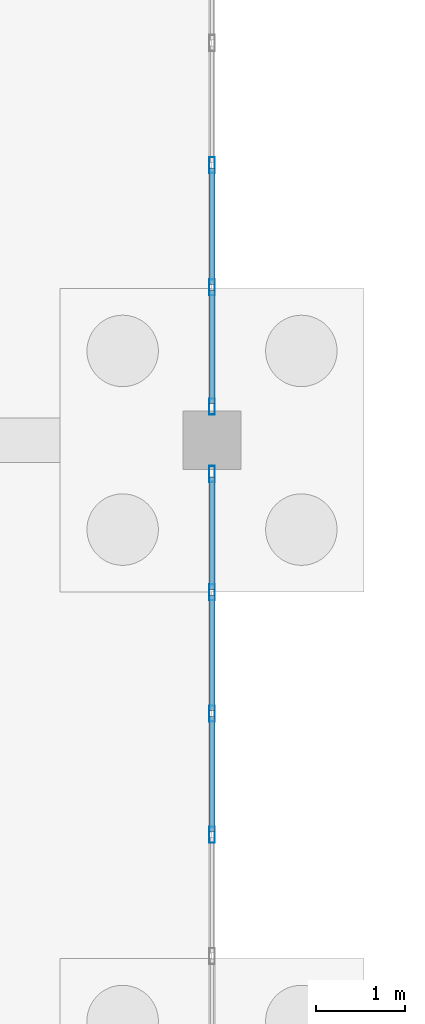
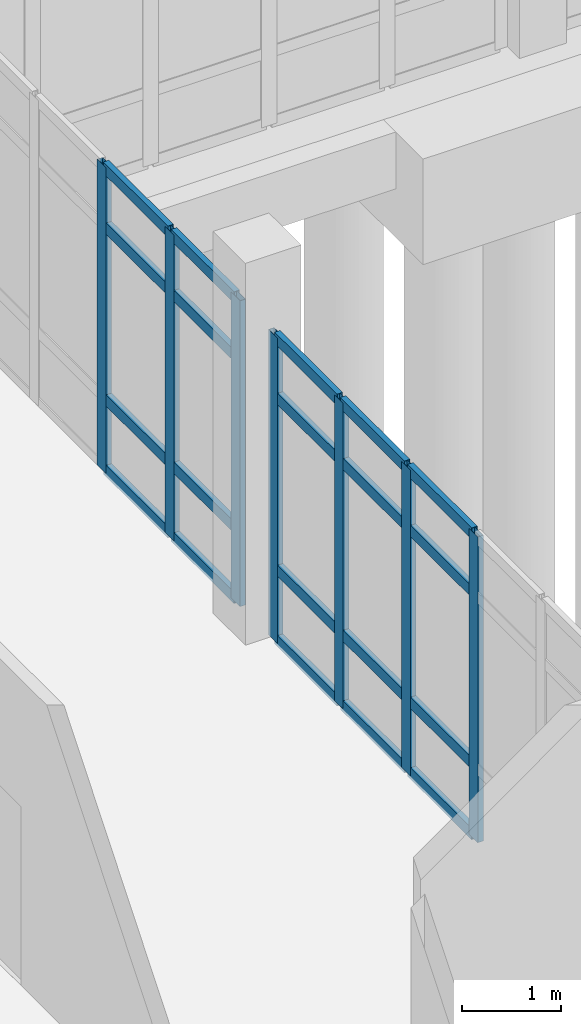
# One storey, part 42 of 173: 27 members, 2 elements without a shape of their own.
"""IFC4 building model written with IfcOpenShell, lengths in metres."""

from ifc_helpers import new_model, si_unit, direction, frame, origin, origin_2d, place, context, subcontext, project, spatial, hollow_rectangle, extrude, material, layer, layer_set, material_profile, profile_set, type_object, element, aggregate, save


model = new_model("IFC4")

# Units and contexts
model_context = context("Model", 3, precision=1e-05, world=origin(), true_north=direction((0.0, 1.0)))
body_context = subcontext(model_context, "Body", "Model", "MODEL_VIEW")
ifc_project = project(units=[si_unit("LENGTHUNIT", "METRE"), si_unit("AREAUNIT", "SQUARE_METRE"), si_unit("VOLUMEUNIT", "CUBIC_METRE"), si_unit("PLANEANGLEUNIT", "RADIAN"), si_unit("MASSUNIT", "GRAM", prefix="KILO")], contexts=[model_context])

# Site, building, storey
site_placement = place(None, origin())
site = spatial("IfcSite", under=ifc_project, at=site_placement, CompositionType="ELEMENT")
building_placement = place(site_placement, origin())
building = spatial("IfcBuilding", under=site, at=building_placement, Name="Mawjan Specialist Oncology Clinic", CompositionType="ELEMENT")
storey_placement = place(building_placement, origin())
storey = spatial("IfcBuildingStorey", under=building, at=storey_placement, Name="L00", CompositionType="ELEMENT", Elevation=0.0)

# Curtain wall, members
ifc_material_1 = material(Name="Unitised spectrally selective aluminium curtain wall", Category="aluminium")
ifc_layer_1 = layer(ifc_material_1, 0.179931640625, Name="Unitised spectrally selective aluminium curtain wall", Category="aluminium")
ifc_layer_set_1 = layer_set([ifc_layer_1], Name="Unitised spectrally selective aluminium curtain wall")
curtain_wall_type_1 = type_object("IfcCurtainWallType", Name="CW-04", PredefinedType="NOTDEFINED", material=ifc_layer_set_1)
curtain_wall_1_placement = place(storey_placement, origin())
curtain_wall_1 = element("IfcCurtainWall", 1, at=curtain_wall_1_placement, inside=storey, type_object=curtain_wall_type_1, Name="L00 Unitised Curtain Wall CW-L00-062", PredefinedType="NOTDEFINED")
ifc_material_2 = material(Name="Thermally broken aluminium 6063-T6", Category="aluminium")
ifc_material_profile_1 = material_profile(ifc_material_2, hollow_rectangle(XDim=0.06494140625, YDim=0.179931640625, WallThickness=0.00390625, at=origin_2d()), Name="ALU MULLION 180x65x4", Category="aluminium")
ifc_profile_set_1 = profile_set([ifc_material_profile_1], Name="Thermally broken aluminium 6063-T6")
member_type_1 = type_object("IfcMemberType", Name="CW-M180", PredefinedType="MULLION", material=ifc_profile_set_1)
member_1_placement = place(storey_placement, frame((15.0, 56.37890625, 0.0), z_axis=(0.0, 0.0, 1.0), x_axis=(1.0, 0.0, 0.0)))
member_1 = element("IfcMember", 2, at=member_1_placement, type_object=member_type_1, Name="CW-04 mullion 4", PredefinedType="MULLION", context=body_context, shape_type="SweptSolid", body=[
    extrude(hollow_rectangle(XDim=0.06494140625, YDim=0.179931640625, WallThickness=0.00390625, at=origin_2d()), origin(), (0.0, 0.0, 1.0), 3.764892578125),
])
member_2_placement = place(storey_placement, frame((15.0, 55.011962890625, 0.0), z_axis=(0.0, 0.0, 1.0), x_axis=(1.0, 0.0, 0.0)))
member_2 = element("IfcMember", 3, at=member_2_placement, type_object=member_type_1, Name="CW-04 mullion 5", PredefinedType="MULLION", context=body_context, shape_type="SweptSolid", body=[
    extrude(hollow_rectangle(XDim=0.06494140625, YDim=0.179931640625, WallThickness=0.00390625, at=origin_2d()), origin(), (0.0, 0.0, 1.0), 3.764892578125),
])
member_3_placement = place(storey_placement, frame((15.0, 53.677490234375, 0.0), z_axis=(0.0, 0.0, 1.0), x_axis=(1.0, 0.0, 0.0)))
member_3 = element("IfcMember", 4, at=member_3_placement, type_object=member_type_1, Name="CW-04 mullion 6", PredefinedType="MULLION", context=body_context, shape_type="SweptSolid", body=[
    extrude(hollow_rectangle(XDim=0.06494140625, YDim=0.179931640625, WallThickness=0.00390625, at=origin_2d()), origin(), (0.0, 0.0, 1.0), 3.764892578125),
])

ifc_material_3 = material(Name="Unitised spectrally selective aluminium curtain wall", Category="aluminium")
ifc_layer_2 = layer(ifc_material_3, 0.179931640625, Name="Unitised spectrally selective aluminium curtain wall", Category="aluminium")
ifc_layer_set_2 = layer_set([ifc_layer_2], Name="Unitised spectrally selective aluminium curtain wall")
curtain_wall_type_2 = type_object("IfcCurtainWallType", Name="CW-03", PredefinedType="NOTDEFINED", material=ifc_layer_set_2)
curtain_wall_2_placement = place(storey_placement, origin())
curtain_wall_2 = element("IfcCurtainWall", 5, at=curtain_wall_2_placement, inside=storey, type_object=curtain_wall_type_2, Name="L00 Unitised Curtain Wall CW-L00-063", PredefinedType="NOTDEFINED")
member_4_placement = place(storey_placement, frame((15.0, 52.922607421875, 0.0), z_axis=(0.0, 0.0, 1.0), x_axis=(1.0, 0.0, 0.0)))
member_4 = element("IfcMember", 6, at=member_4_placement, type_object=member_type_1, Name="CW-03 mullion 1", PredefinedType="MULLION", context=body_context, shape_type="SweptSolid", body=[
    extrude(hollow_rectangle(XDim=0.06494140625, YDim=0.179931640625, WallThickness=0.00390625, at=origin_2d()), origin(), (0.0, 0.0, 1.0), 3.764892578125),
])
member_5_placement = place(storey_placement, frame((15.0, 51.597900390625, 0.0), z_axis=(0.0, 0.0, 1.0), x_axis=(1.0, 0.0, 0.0)))
member_5 = element("IfcMember", 7, at=member_5_placement, type_object=member_type_1, Name="CW-03 mullion 2", PredefinedType="MULLION", context=body_context, shape_type="SweptSolid", body=[
    extrude(hollow_rectangle(XDim=0.06494140625, YDim=0.179931640625, WallThickness=0.00390625, at=origin_2d()), origin(), (0.0, 0.0, 1.0), 3.764892578125),
])
member_6_placement = place(storey_placement, frame((15.0, 50.240966796875, 0.0), z_axis=(0.0, 0.0, 1.0), x_axis=(1.0, 0.0, 0.0)))
member_6 = element("IfcMember", 8, at=member_6_placement, type_object=member_type_1, Name="CW-03 mullion 3", PredefinedType="MULLION", context=body_context, shape_type="SweptSolid", body=[
    extrude(hollow_rectangle(XDim=0.06494140625, YDim=0.179931640625, WallThickness=0.00390625, at=origin_2d()), origin(), (0.0, 0.0, 1.0), 3.764892578125),
])
member_7_placement = place(storey_placement, frame((15.0, 48.884033203125, 0.0), z_axis=(0.0, 0.0, 1.0), x_axis=(1.0, 0.0, 0.0)))
member_7 = element("IfcMember", 9, at=member_7_placement, type_object=member_type_1, Name="CW-03 mullion 4", PredefinedType="MULLION", context=body_context, shape_type="SweptSolid", body=[
    extrude(hollow_rectangle(XDim=0.06494140625, YDim=0.179931640625, WallThickness=0.00390625, at=origin_2d()), origin(), (0.0, 0.0, 1.0), 3.764892578125),
])

# Member
ifc_material_4 = material(Name="Thermally broken aluminium 6063-T6", Category="aluminium")
ifc_material_profile_2 = material_profile(ifc_material_4, hollow_rectangle(XDim=0.06494140625, YDim=0.139892578125, WallThickness=0.00390625, at=origin_2d()), Name="ALU TRANSOM 140x65x4", Category="aluminium")
ifc_profile_set_2 = profile_set([ifc_material_profile_2], Name="Thermally broken aluminium 6063-T6")
member_type_2 = type_object("IfcMemberType", Name="CW-T140", PredefinedType="USERDEFINED", material=ifc_profile_set_2)
member_8_placement = place(storey_placement, frame((15.0, 56.346435546875, 0.032470703125), z_axis=(0.0, -1.0, 0.0), x_axis=(1.0, 0.0, 0.0)))
member_8 = element("IfcMember", 10, at=member_8_placement, type_object=member_type_2, Name="CW-04 transom 4.1", ObjectType="TRANSOM", PredefinedType="USERDEFINED", context=body_context, shape_type="SweptSolid", body=[
    extrude(hollow_rectangle(XDim=0.06494140625, YDim=0.139892578125, WallThickness=0.00390625, at=origin_2d()), origin(), (0.0, 0.0, 1.0), 1.302001953125),
])

member_9_placement = place(storey_placement, frame((15.0, 56.346435546875, 0.89990234375), z_axis=(0.0, -1.0, 0.0), x_axis=(1.0, 0.0, 0.0)))
member_9 = element("IfcMember", 11, at=member_9_placement, type_object=member_type_2, Name="CW-04 transom 4.2", ObjectType="TRANSOM", PredefinedType="USERDEFINED", context=body_context, shape_type="SweptSolid", body=[
    extrude(hollow_rectangle(XDim=0.06494140625, YDim=0.139892578125, WallThickness=0.00390625, at=origin_2d()), origin(), (0.0, 0.0, 1.0), 1.302001953125),
])

member_10_placement = place(storey_placement, frame((15.0, 56.346435546875, 3.014892578125), z_axis=(0.0, -1.0, 0.0), x_axis=(1.0, 0.0, 0.0)))
member_10 = element("IfcMember", 12, at=member_10_placement, type_object=member_type_2, Name="CW-04 transom 4.3", ObjectType="TRANSOM", PredefinedType="USERDEFINED", context=body_context, shape_type="SweptSolid", body=[
    extrude(hollow_rectangle(XDim=0.06494140625, YDim=0.139892578125, WallThickness=0.00390625, at=origin_2d()), origin(), (0.0, 0.0, 1.0), 1.302001953125),
])

member_11_placement = place(storey_placement, frame((15.0, 56.346435546875, 3.732421875), z_axis=(0.0, -1.0, 0.0), x_axis=(1.0, 0.0, 0.0)))
member_11 = element("IfcMember", 13, at=member_11_placement, type_object=member_type_2, Name="CW-04 transom 4.4", ObjectType="TRANSOM", PredefinedType="USERDEFINED", context=body_context, shape_type="SweptSolid", body=[
    extrude(hollow_rectangle(XDim=0.06494140625, YDim=0.139892578125, WallThickness=0.00390625, at=origin_2d()), origin(), (0.0, 0.0, 1.0), 1.302001953125),
])

member_12_placement = place(storey_placement, frame((15.0, 54.9794921875, 0.032470703125), z_axis=(0.0, -1.0, 0.0), x_axis=(1.0, 0.0, 0.0)))
member_12 = element("IfcMember", 14, at=member_12_placement, type_object=member_type_2, Name="CW-04 transom 5.1", ObjectType="TRANSOM", PredefinedType="USERDEFINED", context=body_context, shape_type="SweptSolid", body=[
    extrude(hollow_rectangle(XDim=0.06494140625, YDim=0.139892578125, WallThickness=0.00390625, at=origin_2d()), origin(), (0.0, 0.0, 1.0), 1.26953125),
])

member_13_placement = place(storey_placement, frame((15.0, 54.9794921875, 0.89990234375), z_axis=(0.0, -1.0, 0.0), x_axis=(1.0, 0.0, 0.0)))
member_13 = element("IfcMember", 15, at=member_13_placement, type_object=member_type_2, Name="CW-04 transom 5.2", ObjectType="TRANSOM", PredefinedType="USERDEFINED", context=body_context, shape_type="SweptSolid", body=[
    extrude(hollow_rectangle(XDim=0.06494140625, YDim=0.139892578125, WallThickness=0.00390625, at=origin_2d()), origin(), (0.0, 0.0, 1.0), 1.26953125),
])

member_14_placement = place(storey_placement, frame((15.0, 54.9794921875, 3.014892578125), z_axis=(0.0, -1.0, 0.0), x_axis=(1.0, 0.0, 0.0)))
member_14 = element("IfcMember", 16, at=member_14_placement, type_object=member_type_2, Name="CW-04 transom 5.3", ObjectType="TRANSOM", PredefinedType="USERDEFINED", context=body_context, shape_type="SweptSolid", body=[
    extrude(hollow_rectangle(XDim=0.06494140625, YDim=0.139892578125, WallThickness=0.00390625, at=origin_2d()), origin(), (0.0, 0.0, 1.0), 1.26953125),
])

member_15_placement = place(storey_placement, frame((15.0, 54.9794921875, 3.732421875), z_axis=(0.0, -1.0, 0.0), x_axis=(1.0, 0.0, 0.0)))
member_15 = element("IfcMember", 17, at=member_15_placement, type_object=member_type_2, Name="CW-04 transom 5.4", ObjectType="TRANSOM", PredefinedType="USERDEFINED", context=body_context, shape_type="SweptSolid", body=[
    extrude(hollow_rectangle(XDim=0.06494140625, YDim=0.139892578125, WallThickness=0.00390625, at=origin_2d()), origin(), (0.0, 0.0, 1.0), 1.26953125),
])

aggregate(curtain_wall_1, [member_1, member_2, member_3, member_8, member_9, member_10, member_11, member_12, member_13, member_14, member_15])

member_16_placement = place(storey_placement, frame((15.0, 52.889892578125, 0.032470703125), z_axis=(0.0, -1.0, 0.0), x_axis=(1.0, 0.0, 0.0)))
member_16 = element("IfcMember", 18, at=member_16_placement, type_object=member_type_2, Name="CW-03 transom 1.1", ObjectType="TRANSOM", PredefinedType="USERDEFINED", context=body_context, shape_type="SweptSolid", body=[
    extrude(hollow_rectangle(XDim=0.06494140625, YDim=0.139892578125, WallThickness=0.00390625, at=origin_2d()), origin(), (0.0, 0.0, 1.0), 1.25927734375),
])

member_17_placement = place(storey_placement, frame((15.0, 52.889892578125, 0.89990234375), z_axis=(0.0, -1.0, 0.0), x_axis=(1.0, 0.0, 0.0)))
member_17 = element("IfcMember", 19, at=member_17_placement, type_object=member_type_2, Name="CW-03 transom 1.2", ObjectType="TRANSOM", PredefinedType="USERDEFINED", context=body_context, shape_type="SweptSolid", body=[
    extrude(hollow_rectangle(XDim=0.06494140625, YDim=0.139892578125, WallThickness=0.00390625, at=origin_2d()), origin(), (0.0, 0.0, 1.0), 1.25927734375),
])

member_18_placement = place(storey_placement, frame((15.0, 52.889892578125, 3.014892578125), z_axis=(0.0, -1.0, 0.0), x_axis=(1.0, 0.0, 0.0)))
member_18 = element("IfcMember", 20, at=member_18_placement, type_object=member_type_2, Name="CW-03 transom 1.3", ObjectType="TRANSOM", PredefinedType="USERDEFINED", context=body_context, shape_type="SweptSolid", body=[
    extrude(hollow_rectangle(XDim=0.06494140625, YDim=0.139892578125, WallThickness=0.00390625, at=origin_2d()), origin(), (0.0, 0.0, 1.0), 1.25927734375),
])

member_19_placement = place(storey_placement, frame((15.0, 52.889892578125, 3.732421875), z_axis=(0.0, -1.0, 0.0), x_axis=(1.0, 0.0, 0.0)))
member_19 = element("IfcMember", 21, at=member_19_placement, type_object=member_type_2, Name="CW-03 transom 1.4", ObjectType="TRANSOM", PredefinedType="USERDEFINED", context=body_context, shape_type="SweptSolid", body=[
    extrude(hollow_rectangle(XDim=0.06494140625, YDim=0.139892578125, WallThickness=0.00390625, at=origin_2d()), origin(), (0.0, 0.0, 1.0), 1.25927734375),
])

member_20_placement = place(storey_placement, frame((15.0, 51.5654296875, 0.032470703125), z_axis=(0.0, -1.0, 0.0), x_axis=(1.0, 0.0, 0.0)))
member_20 = element("IfcMember", 22, at=member_20_placement, type_object=member_type_2, Name="CW-03 transom 2.1", ObjectType="TRANSOM", PredefinedType="USERDEFINED", context=body_context, shape_type="SweptSolid", body=[
    extrude(hollow_rectangle(XDim=0.06494140625, YDim=0.139892578125, WallThickness=0.00390625, at=origin_2d()), origin(), (0.0, 0.0, 1.0), 1.2919921875),
])

member_21_placement = place(storey_placement, frame((15.0, 51.5654296875, 0.89990234375), z_axis=(0.0, -1.0, 0.0), x_axis=(1.0, 0.0, 0.0)))
member_21 = element("IfcMember", 23, at=member_21_placement, type_object=member_type_2, Name="CW-03 transom 2.2", ObjectType="TRANSOM", PredefinedType="USERDEFINED", context=body_context, shape_type="SweptSolid", body=[
    extrude(hollow_rectangle(XDim=0.06494140625, YDim=0.139892578125, WallThickness=0.00390625, at=origin_2d()), origin(), (0.0, 0.0, 1.0), 1.2919921875),
])

member_22_placement = place(storey_placement, frame((15.0, 51.5654296875, 3.014892578125), z_axis=(0.0, -1.0, 0.0), x_axis=(1.0, 0.0, 0.0)))
member_22 = element("IfcMember", 24, at=member_22_placement, type_object=member_type_2, Name="CW-03 transom 2.3", ObjectType="TRANSOM", PredefinedType="USERDEFINED", context=body_context, shape_type="SweptSolid", body=[
    extrude(hollow_rectangle(XDim=0.06494140625, YDim=0.139892578125, WallThickness=0.00390625, at=origin_2d()), origin(), (0.0, 0.0, 1.0), 1.2919921875),
])

member_23_placement = place(storey_placement, frame((15.0, 51.5654296875, 3.732421875), z_axis=(0.0, -1.0, 0.0), x_axis=(1.0, 0.0, 0.0)))
member_23 = element("IfcMember", 25, at=member_23_placement, type_object=member_type_2, Name="CW-03 transom 2.4", ObjectType="TRANSOM", PredefinedType="USERDEFINED", context=body_context, shape_type="SweptSolid", body=[
    extrude(hollow_rectangle(XDim=0.06494140625, YDim=0.139892578125, WallThickness=0.00390625, at=origin_2d()), origin(), (0.0, 0.0, 1.0), 1.2919921875),
])

member_24_placement = place(storey_placement, frame((15.0, 50.20849609375, 0.032470703125), z_axis=(0.0, -1.0, 0.0), x_axis=(1.0, 0.0, 0.0)))
member_24 = element("IfcMember", 26, at=member_24_placement, type_object=member_type_2, Name="CW-03 transom 3.1", ObjectType="TRANSOM", PredefinedType="USERDEFINED", context=body_context, shape_type="SweptSolid", body=[
    extrude(hollow_rectangle(XDim=0.06494140625, YDim=0.139892578125, WallThickness=0.00390625, at=origin_2d()), origin(), (0.0, 0.0, 1.0), 1.2919921875),
])

member_25_placement = place(storey_placement, frame((15.0, 50.20849609375, 0.89990234375), z_axis=(0.0, -1.0, 0.0), x_axis=(1.0, 0.0, 0.0)))
member_25 = element("IfcMember", 27, at=member_25_placement, type_object=member_type_2, Name="CW-03 transom 3.2", ObjectType="TRANSOM", PredefinedType="USERDEFINED", context=body_context, shape_type="SweptSolid", body=[
    extrude(hollow_rectangle(XDim=0.06494140625, YDim=0.139892578125, WallThickness=0.00390625, at=origin_2d()), origin(), (0.0, 0.0, 1.0), 1.2919921875),
])

member_26_placement = place(storey_placement, frame((15.0, 50.20849609375, 3.014892578125), z_axis=(0.0, -1.0, 0.0), x_axis=(1.0, 0.0, 0.0)))
member_26 = element("IfcMember", 28, at=member_26_placement, type_object=member_type_2, Name="CW-03 transom 3.3", ObjectType="TRANSOM", PredefinedType="USERDEFINED", context=body_context, shape_type="SweptSolid", body=[
    extrude(hollow_rectangle(XDim=0.06494140625, YDim=0.139892578125, WallThickness=0.00390625, at=origin_2d()), origin(), (0.0, 0.0, 1.0), 1.2919921875),
])

member_27_placement = place(storey_placement, frame((15.0, 50.20849609375, 3.732421875), z_axis=(0.0, -1.0, 0.0), x_axis=(1.0, 0.0, 0.0)))
member_27 = element("IfcMember", 29, at=member_27_placement, type_object=member_type_2, Name="CW-03 transom 3.4", ObjectType="TRANSOM", PredefinedType="USERDEFINED", context=body_context, shape_type="SweptSolid", body=[
    extrude(hollow_rectangle(XDim=0.06494140625, YDim=0.139892578125, WallThickness=0.00390625, at=origin_2d()), origin(), (0.0, 0.0, 1.0), 1.2919921875),
])

aggregate(curtain_wall_2, [member_4, member_5, member_6, member_7, member_16, member_17, member_18, member_19, member_20, member_21, member_22, member_23, member_24, member_25, member_26, member_27])

save(model, "model.ifc")
